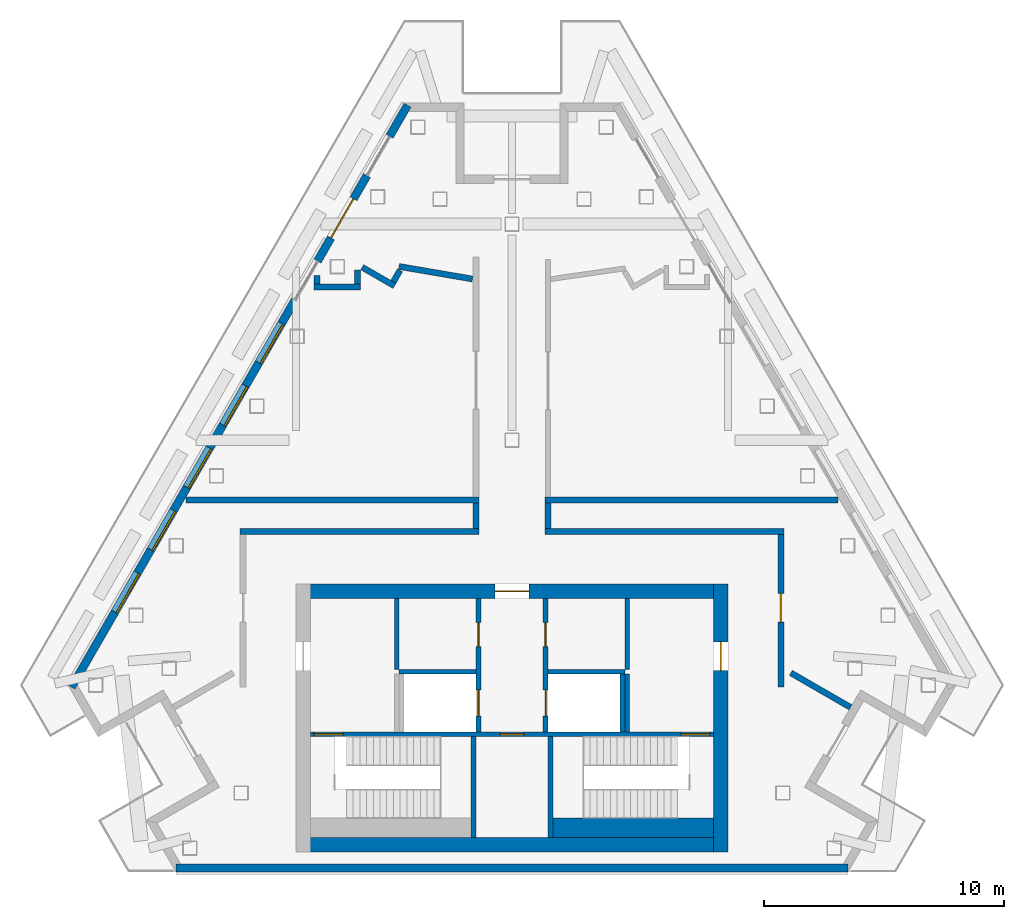
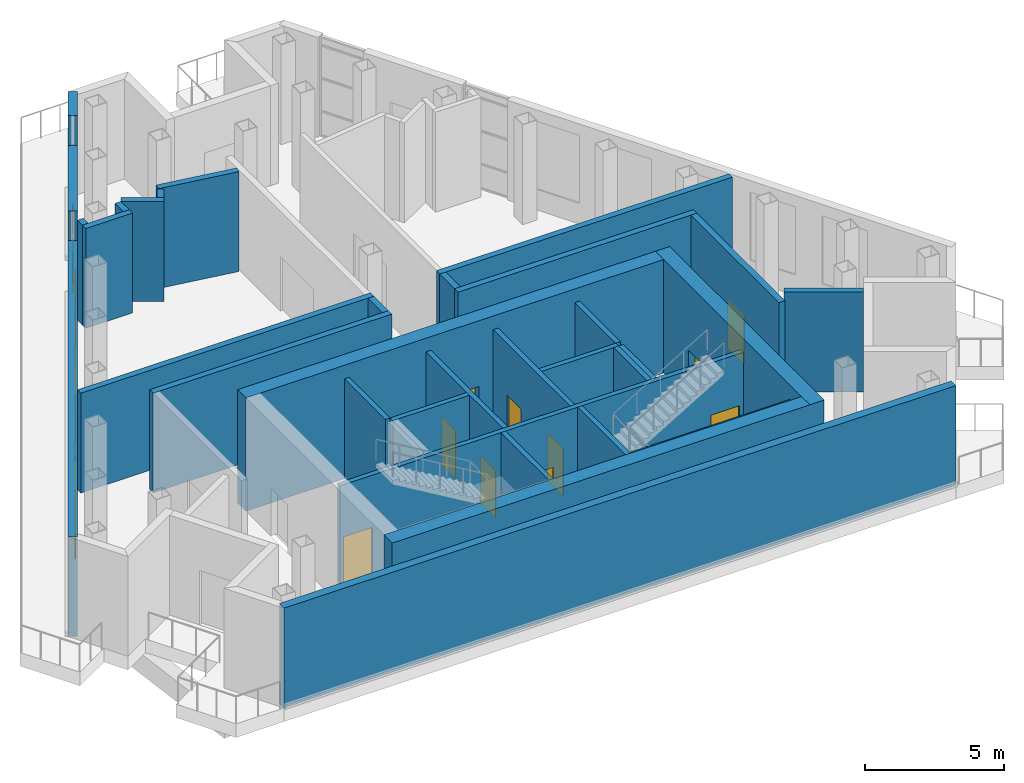
# One storey, part 4 of 7: 33 walls, 11 doors, 5 windows, 16 openings.
"""IFC4 building model written with IfcOpenShell, lengths in metres."""

from ifc_helpers import new_model, si_unit, direction, frame, frame_2d, origin, place, context, subcontext, project, spatial, rectangle, extrude, material, layer, layer_set, type_object, element, fill, save


model = new_model("IFC4")

# Units and contexts
model_context = context("Model", 3, precision=1e-05, world=origin(), true_north=direction((0.0, 1.0)))
body_context = subcontext(model_context, "Body", "Model", "MODEL_VIEW")
ifc_project = project(units=[si_unit("LENGTHUNIT", "METRE"), si_unit("AREAUNIT", "SQUARE_METRE"), si_unit("VOLUMEUNIT", "CUBIC_METRE"), si_unit("PLANEANGLEUNIT", "RADIAN"), si_unit("MASSUNIT", "GRAM", prefix="KILO")], contexts=[model_context])

# Site, building, storey
site_placement = place(None, origin())
site = spatial("IfcSite", under=ifc_project, at=site_placement, CompositionType="ELEMENT")
building_placement = place(site_placement, origin())
building = spatial("IfcBuilding", under=site, at=building_placement, Name="Fogline Exchange Tower", CompositionType="ELEMENT")
storey_placement = place(building_placement, frame((0.0, 0.0, 350.10009765625)))
storey = spatial("IfcBuildingStorey", under=building, at=storey_placement, Name="L79", CompositionType="ELEMENT", Elevation=350.10009765625)

# Wall, openings, doors
ifc_material_1 = material(Name="Concrete C40", Category="concrete")
ifc_layer_1 = layer(ifc_material_1, 0.199951171875)
ifc_layer_set_1 = layer_set([ifc_layer_1], Name="CW20")
wall_type_1 = type_object("IfcWallType", Name="CW20", PredefinedType="SOLIDWALL", material=ifc_layer_set_1)
wall_1_placement = place(storey_placement, frame((-1.39990234375, 5.85009765625, 0.0), z_axis=(0.0, 0.0, 1.0), x_axis=(0.0, 1.0, 0.0)))
wall_1 = element("IfcWall", 1, at=wall_1_placement, inside=storey, type_object=wall_type_1, Name="Lift lobby wall", PredefinedType="SOLIDWALL", context=body_context, shape_type="SweptSolid", body=[
    extrude(rectangle(XDim=5.5498046875, YDim=0.199951171875, at=frame_2d((2.77490234375, 0.0))), origin(), (0.0, 0.0, 1.0), 4.39990234375),
])
opening_1_placement = place(wall_1_placement, frame((0.64990234375, 0.0, 0.0)))
opening_1 = element("IfcOpeningElement", 2, at=opening_1_placement, cuts=wall_1, Name="Opening L79-LD01", PredefinedType="OPENING", context=body_context, shape_type="SweptSolid", body=[
    extrude(rectangle(XDim=1.10009765625, YDim=2.10009765625, at=frame_2d((0.550048828125, 1.050048828125))), frame((0.0, 0.10986328125, 0.0), z_axis=(0.0, -1.0, 0.0), x_axis=(1.0, 0.0, 0.0)), (0.0, 0.0, 1.0), 0.219970703125),
])
opening_2_placement = place(wall_1_placement, frame((3.550048828125, 0.0, 0.0)))
opening_2 = element("IfcOpeningElement", 3, at=opening_2_placement, cuts=wall_1, Name="Opening L79-C004", PredefinedType="OPENING", context=body_context, shape_type="SweptSolid", body=[
    extrude(rectangle(XDim=1.0, YDim=2.10009765625, at=frame_2d((0.5, 1.050048828125))), frame((0.0, 0.10986328125, 0.0), z_axis=(0.0, -1.0, 0.0), x_axis=(1.0, 0.0, 0.0)), (0.0, 0.0, 1.0), 0.219970703125),
])
ifc_material_2 = material(Name="Steel and timber fire door", Category="steel")
door_type_1 = type_object("IfcDoorType", Name="D-RM1", OperationType="SINGLE_SWING_LEFT", PredefinedType="DOOR", material=ifc_material_2)
door_1_placement = place(opening_2_placement, origin())
door_1 = element("IfcDoor", 4, at=door_1_placement, inside=storey, type_object=door_type_1, Name="Door to store", OperationType="SINGLE_SWING_LEFT", OverallHeight=2.10009765625, OverallWidth=1.0, PredefinedType="DOOR", context=body_context, shape_type="SweptSolid", body=[
    extrude(rectangle(XDim=1.0, YDim=2.10009765625, at=frame_2d((0.5, 1.050048828125))), frame((0.0, 0.02490234375, 0.0), z_axis=(0.0, -1.0, 0.0), x_axis=(1.0, 0.0, 0.0)), (0.0, 0.0, 1.0), 0.050048828125),
])
fill(opening_2, door_1)
door_type_2 = type_object("IfcDoorType", Name="LD2", OperationType="SLIDING_TO_RIGHT", PredefinedType="DOOR", material=ifc_material_2)
door_2_placement = place(opening_1_placement, origin())
door_2 = element("IfcDoor", 5, at=door_2_placement, inside=storey, type_object=door_type_2, Name="Landing door FF1", OperationType="SLIDING_TO_RIGHT", OverallHeight=2.10009765625, OverallWidth=1.10009765625, PredefinedType="DOOR", context=body_context, shape_type="SweptSolid", body=[
    extrude(rectangle(XDim=1.10009765625, YDim=2.10009765625, at=frame_2d((0.550048828125, 1.050048828125))), frame((0.0, 0.02490234375, 0.0), z_axis=(0.0, -1.0, 0.0), x_axis=(1.0, 0.0, 0.0)), (0.0, 0.0, 1.0), 0.050048828125),
])
fill(opening_1, door_2)

wall_2_placement = place(storey_placement, frame((1.39990234375, 5.85009765625, 0.0), z_axis=(0.0, 0.0, 1.0), x_axis=(0.0, 1.0, 0.0)))
wall_2 = element("IfcWall", 6, at=wall_2_placement, inside=storey, type_object=wall_type_1, Name="Lift lobby wall", PredefinedType="SOLIDWALL", context=body_context, shape_type="SweptSolid", body=[
    extrude(rectangle(XDim=5.5498046875, YDim=0.199951171875, at=frame_2d((2.77490234375, 0.0))), origin(), (0.0, 0.0, 1.0), 4.39990234375),
])
opening_3_placement = place(wall_2_placement, frame((0.64990234375, 0.0, 0.0)))
opening_3 = element("IfcOpeningElement", 7, at=opening_3_placement, cuts=wall_2, Name="Opening L79-LD02", PredefinedType="OPENING", context=body_context, shape_type="SweptSolid", body=[
    extrude(rectangle(XDim=1.10009765625, YDim=2.10009765625, at=frame_2d((0.550048828125, 1.050048828125))), frame((0.0, 0.10986328125, 0.0), z_axis=(0.0, -1.0, 0.0), x_axis=(1.0, 0.0, 0.0)), (0.0, 0.0, 1.0), 0.219970703125),
])
opening_4_placement = place(wall_2_placement, frame((3.550048828125, 0.0, 0.0)))
opening_4 = element("IfcOpeningElement", 8, at=opening_4_placement, cuts=wall_2, Name="Opening L79-C007", PredefinedType="OPENING", context=body_context, shape_type="SweptSolid", body=[
    extrude(rectangle(XDim=1.0, YDim=2.10009765625, at=frame_2d((0.5, 1.050048828125))), frame((0.0, 0.10986328125, 0.0), z_axis=(0.0, -1.0, 0.0), x_axis=(1.0, 0.0, 0.0)), (0.0, 0.0, 1.0), 0.219970703125),
])
door_3_placement = place(opening_4_placement, frame((1.0, 0.0, 0.0), z_axis=(0.0, 0.0, 1.0), x_axis=(-1.0, 0.0, 0.0)))
door_3 = element("IfcDoor", 9, at=door_3_placement, inside=storey, type_object=door_type_1, Name="Door to store", OperationType="SINGLE_SWING_RIGHT", OverallHeight=2.10009765625, OverallWidth=1.0, PredefinedType="DOOR", context=body_context, shape_type="SweptSolid", body=[
    extrude(rectangle(XDim=1.0, YDim=2.10009765625, at=frame_2d((0.5, 1.050048828125))), frame((0.0, 0.02490234375, 0.0), z_axis=(0.0, -1.0, 0.0), x_axis=(1.0, 0.0, 0.0)), (0.0, 0.0, 1.0), 0.050048828125),
])
fill(opening_4, door_3)
door_4_placement = place(opening_3_placement, origin())
door_4 = element("IfcDoor", 10, at=door_4_placement, inside=storey, type_object=door_type_2, Name="Landing door FF2", OperationType="SLIDING_TO_RIGHT", OverallHeight=2.10009765625, OverallWidth=1.10009765625, PredefinedType="DOOR", context=body_context, shape_type="SweptSolid", body=[
    extrude(rectangle(XDim=1.10009765625, YDim=2.10009765625, at=frame_2d((0.550048828125, 1.050048828125))), frame((0.0, 0.02490234375, 0.0), z_axis=(0.0, -1.0, 0.0), x_axis=(1.0, 0.0, 0.0)), (0.0, 0.0, 1.0), 0.050048828125),
])
fill(opening_3, door_4)

# Walls
wall_3_placement = place(storey_placement, frame((4.60009765625, 5.85009765625, 0.0), z_axis=(0.0, 0.0, 1.0), x_axis=(0.0, 1.0, 0.0)))
element("IfcWall", 11, at=wall_3_placement, inside=storey, type_object=wall_type_1, Name="Lift shaft wall", PredefinedType="SOLIDWALL", context=body_context, shape_type="SweptSolid", body=[
    extrude(rectangle(XDim=2.39990234375, YDim=0.199951171875, at=frame_2d((1.199951171875, 0.0))), origin(), (0.0, 0.0, 1.0), 4.39990234375),
])
for number, where, z_axis, x_axis, name in (
    (12, (-4.699951171875, 8.35009765625, 0.0), (0.0, 0.0, 1.0), (1.0, 0.0, 0.0), "Lift shaft wall"),
    (13, (1.5, 8.35009765625, 0.0), (0.0, 0.0, 1.0), (1.0, 0.0, 0.0), "Lift shaft wall"),
):
    element("IfcWall", number, at=place(storey_placement, frame(where, z_axis=z_axis, x_axis=x_axis)), inside=storey, type_object=wall_type_1, Name=name, PredefinedType="SOLIDWALL", context=body_context, shape_type="SweptSolid", body=[
        extrude(rectangle(XDim=3.199951171875, YDim=0.199951171875, at=frame_2d((1.60009765625, 0.0))), origin(), (0.0, 0.0, 1.0), 4.39990234375),
    ])
for number, where, z_axis, x_axis, name in (
    (14, (-4.800048828125, 8.449951171875, 0.0), (0.0, 0.0, 1.0), (0.0, 1.0, 0.0), "Room wall"),
    (15, (4.800048828125, 8.449951171875, 0.0), (0.0, 0.0, 1.0), (0.0, 1.0, 0.0), "Room wall"),
):
    element("IfcWall", number, at=place(storey_placement, frame(where, z_axis=z_axis, x_axis=x_axis)), inside=storey, type_object=wall_type_1, Name=name, PredefinedType="SOLIDWALL", context=body_context, shape_type="SweptSolid", body=[
        extrude(rectangle(XDim=2.949951171875, YDim=0.199951171875, at=frame_2d((1.47509765625, 0.0))), origin(), (0.0, 0.0, 1.0), 4.39990234375),
    ])
wall_4_placement = place(storey_placement, frame((4.800048828125, 5.85009765625, 0.0), z_axis=(0.0, 0.0, 1.0), x_axis=(0.0, 1.0, 0.0)))
element("IfcWall", 16, at=wall_4_placement, inside=storey, type_object=wall_type_1, Name="Room wall", PredefinedType="SOLIDWALL", context=body_context, shape_type="SweptSolid", body=[
    extrude(rectangle(XDim=2.39990234375, YDim=0.199951171875, at=frame_2d((1.199951171875, 0.0))), origin(), (0.0, 0.0, 1.0), 4.39990234375),
])

# Wall, openings, doors
ifc_layer_2 = layer(ifc_material_1, 0.199951171875)
ifc_layer_set_2 = layer_set([ifc_layer_2], Name="CW20R")
wall_type_2 = type_object("IfcWallType", Name="CW20R", PredefinedType="SOLIDWALL", material=ifc_layer_set_2)
wall_5_placement = place(storey_placement, frame((-8.39990234375, 5.75, -0.60009765625), z_axis=(0.0, 0.0, 1.0), x_axis=(1.0, 0.0, 0.0)))
wall_5 = element("IfcWall", 17, at=wall_5_placement, inside=storey, type_object=wall_type_2, Name="Stair enclosure wall", PredefinedType="SOLIDWALL", context=body_context, shape_type="SweptSolid", body=[
    extrude(rectangle(XDim=16.7998046875, YDim=0.199951171875, at=frame_2d((8.39990234375, 0.0))), origin(), (0.0, 0.0, 1.0), 5.0),
])
opening_5_placement = place(wall_5_placement, frame((7.89990234375, 0.0, 0.60009765625)))
opening_5 = element("IfcOpeningElement", 18, at=opening_5_placement, cuts=wall_5, Name="Opening L79-C001", PredefinedType="OPENING", context=body_context, shape_type="SweptSolid", body=[
    extrude(rectangle(XDim=1.0, YDim=2.10009765625, at=frame_2d((0.5, 1.050048828125))), frame((0.0, 0.10986328125, 0.0), z_axis=(0.0, -1.0, 0.0), x_axis=(1.0, 0.0, 0.0)), (0.0, 0.0, 1.0), 0.219970703125),
])
opening_6_placement = place(wall_5_placement, frame((0.14990234375, 0.0, 0.60009765625)))
opening_6 = element("IfcOpeningElement", 19, at=opening_6_placement, cuts=wall_5, Name="Opening L79-C003", PredefinedType="OPENING", context=body_context, shape_type="SweptSolid", body=[
    extrude(rectangle(XDim=1.199951171875, YDim=2.10009765625, at=frame_2d((0.60009765625, 1.050048828125))), frame((0.0, 0.10986328125, 0.0), z_axis=(0.0, -1.0, 0.0), x_axis=(1.0, 0.0, 0.0)), (0.0, 0.0, 1.0), 0.219970703125),
])
opening_7_placement = place(wall_5_placement, frame((15.449951171875, 0.0, 0.60009765625)))
opening_7 = element("IfcOpeningElement", 20, at=opening_7_placement, cuts=wall_5, Name="Opening L79-C006", PredefinedType="OPENING", context=body_context, shape_type="SweptSolid", body=[
    extrude(rectangle(XDim=1.199951171875, YDim=2.10009765625, at=frame_2d((0.60009765625, 1.050048828125))), frame((0.0, 0.10986328125, 0.0), z_axis=(0.0, -1.0, 0.0), x_axis=(1.0, 0.0, 0.0)), (0.0, 0.0, 1.0), 0.219970703125),
])
door_5_placement = place(opening_5_placement, frame((1.0, 0.0, 0.0), z_axis=(0.0, 0.0, 1.0), x_axis=(-1.0, 0.0, 0.0)))
door_5 = element("IfcDoor", 21, at=door_5_placement, inside=storey, type_object=door_type_1, Name="Door to Riser Room", OperationType="SINGLE_SWING_RIGHT", OverallHeight=2.10009765625, OverallWidth=1.0, PredefinedType="DOOR", context=body_context, shape_type="SweptSolid", body=[
    extrude(rectangle(XDim=1.0, YDim=2.10009765625, at=frame_2d((0.5, 1.050048828125))), frame((0.0, 0.02490234375, 0.0), z_axis=(0.0, -1.0, 0.0), x_axis=(1.0, 0.0, 0.0)), (0.0, 0.0, 1.0), 0.050048828125),
])
fill(opening_5, door_5)
door_type_3 = type_object("IfcDoorType", Name="D-ST1", OperationType="SINGLE_SWING_LEFT", PredefinedType="DOOR", material=ifc_material_2)
door_6_placement = place(opening_6_placement, frame((1.199951171875, 0.0, 0.0), z_axis=(0.0, 0.0, 1.0), x_axis=(-1.0, 0.0, 0.0)))
door_6 = element("IfcDoor", 22, at=door_6_placement, inside=storey, type_object=door_type_3, Name="Stair door CS1", OperationType="SINGLE_SWING_RIGHT", OverallHeight=2.10009765625, OverallWidth=1.199951171875, PredefinedType="DOOR", context=body_context, shape_type="SweptSolid", body=[
    extrude(rectangle(XDim=1.199951171875, YDim=2.10009765625, at=frame_2d((0.60009765625, 1.050048828125))), frame((0.0, 0.02490234375, 0.0), z_axis=(0.0, -1.0, 0.0), x_axis=(1.0, 0.0, 0.0)), (0.0, 0.0, 1.0), 0.050048828125),
])
fill(opening_6, door_6)
door_7_placement = place(opening_7_placement, frame((1.199951171875, 0.0, 0.0), z_axis=(0.0, 0.0, 1.0), x_axis=(-1.0, 0.0, 0.0)))
door_7 = element("IfcDoor", 23, at=door_7_placement, inside=storey, type_object=door_type_3, Name="Stair door CS2", OperationType="SINGLE_SWING_LEFT", OverallHeight=2.10009765625, OverallWidth=1.199951171875, PredefinedType="DOOR", context=body_context, shape_type="SweptSolid", body=[
    extrude(rectangle(XDim=1.199951171875, YDim=2.10009765625, at=frame_2d((0.60009765625, 1.050048828125))), frame((0.0, 0.02490234375, 0.0), z_axis=(0.0, -1.0, 0.0), x_axis=(1.0, 0.0, 0.0)), (0.0, 0.0, 1.0), 0.050048828125),
])
fill(opening_7, door_7)

# Walls
for number, where, z_axis, x_axis, name in (
    (24, (-1.60009765625, 1.449951171875, -0.60009765625), (0.0, 0.0, 1.0), (0.0, 1.0, 0.0), "Stair enclosure wall"),
    (25, (1.60009765625, 1.449951171875, -0.60009765625), (0.0, 0.0, 1.0), (0.0, 1.0, 0.0), "Stair enclosure wall"),
):
    element("IfcWall", number, at=place(storey_placement, frame(where, z_axis=z_axis, x_axis=x_axis)), inside=storey, type_object=wall_type_2, Name=name, PredefinedType="SOLIDWALL", context=body_context, shape_type="SweptSolid", body=[
        extrude(rectangle(XDim=4.199951171875, YDim=0.199951171875, at=frame_2d((2.10009765625, 0.0))), origin(), (0.0, 0.0, 1.0), 5.0),
    ])
ifc_layer_3 = layer(ifc_material_1, 0.800048828125)
ifc_layer_set_3 = layer_set([ifc_layer_3], Name="CW80R")
wall_type_3 = type_object("IfcWallType", Name="CW80R", PredefinedType="SOLIDWALL", material=ifc_layer_set_3)
wall_6_placement = place(storey_placement, frame((1.699951171875, 1.85009765625, -0.60009765625), z_axis=(0.0, 0.0, 1.0), x_axis=(1.0, 0.0, 0.0)))
element("IfcWall", 26, at=wall_6_placement, inside=storey, type_object=wall_type_3, Name="Stair enclosure wall", PredefinedType="SOLIDWALL", context=body_context, shape_type="SweptSolid", body=[
    extrude(rectangle(XDim=6.699951171875, YDim=0.800048828125, at=frame_2d((3.35009765625, 0.0))), origin(), (0.0, 0.0, 1.0), 5.0),
])
ifc_material_3 = material(Name="Brick masonry", Category="masonry")
ifc_layer_4 = layer(ifc_material_3, 0.340087890625)
ifc_layer_set_4 = layer_set([ifc_layer_4], Name="FW1")
wall_type_4 = type_object("IfcWallType", Name="FW1", PredefinedType="SOLIDWALL", material=ifc_layer_set_4)
wall_7_placement = place(storey_placement, frame((-14.0, 0.169921875, 0.0), z_axis=(0.0, 0.0, 1.0), x_axis=(1.0, 0.0, 0.0)))
element("IfcWall", 27, at=wall_7_placement, inside=storey, type_object=wall_type_4, Name="Brick wall L79 S", PredefinedType="SOLIDWALL", context=body_context, shape_type="SweptSolid", body=[
    extrude(rectangle(XDim=28.0, YDim=0.340087890625, at=frame_2d((14.0, 0.0))), origin(), (0.0, 0.0, 1.0), 4.39990234375),
])
wall_8_placement = place(storey_placement, frame((-4.352783203125, 31.9580078125, 0.0), z_axis=(0.0, 0.0, 1.0), x_axis=(-0.499990139034, -0.866031096941, 0.0)))
element("IfcWall", 28, at=wall_8_placement, inside=storey, type_object=wall_type_4, Name="Brick wall L79 W bay 1", PredefinedType="SOLIDWALL", context=body_context, shape_type="SweptSolid", body=[
    extrude(rectangle(XDim=1.5, YDim=0.340087890625, at=frame_2d((0.75, 0.0))), origin(), (0.0, 0.0, 1.0), 4.39990234375),
])

# Wall, opening, door
wall_9_placement = place(storey_placement, frame((-6.045166015625, 29.0263671875, 0.0), z_axis=(0.0, 0.0, 1.0), x_axis=(-0.500018604663, -0.866014662111, 0.0)))
wall_9 = element("IfcWall", 29, at=wall_9_placement, inside=storey, type_object=wall_type_4, Name="Brick wall L79 W bay 2", PredefinedType="SOLIDWALL", context=body_context, shape_type="SweptSolid", body=[
    extrude(rectangle(XDim=4.114990234375, YDim=0.340087890625, at=frame_2d((2.0576171875, 0.0))), origin(), (0.0, 0.0, 1.0), 4.39990234375),
])
opening_8_placement = place(wall_9_placement, frame((1.114990234375, 0.0, 0.0)))
opening_8 = element("IfcOpeningElement", 30, at=opening_8_placement, cuts=wall_9, Name="Opening L79-E171", PredefinedType="OPENING", context=body_context, shape_type="SweptSolid", body=[
    extrude(rectangle(XDim=1.885009765625, YDim=2.60009765625, at=frame_2d((0.9423828125, 1.300048828125))), frame((0.0, 0.18017578125, 0.0), z_axis=(0.0, -1.0, 0.0), x_axis=(1.0, 0.0, 0.0)), (0.0, 0.0, 1.0), 0.360107421875),
])
ifc_material_4 = material(Name="Aluminium and glass", Category="aluminium")
door_type_4 = type_object("IfcDoorType", Name="ED5", OperationType="SINGLE_SWING_LEFT", PredefinedType="DOOR", material=ifc_material_4)
door_8_placement = place(opening_8_placement, frame((1.885009765625, 0.0, 0.0), z_axis=(0.0, 0.0, 1.0), x_axis=(-1.0, 0.0, 0.0)))
door_8 = element("IfcDoor", 31, at=door_8_placement, inside=storey, type_object=door_type_4, Name="Terrace door L79 W", OperationType="DOUBLE_DOOR_SINGLE_SWING", OverallHeight=2.60009765625, OverallWidth=1.885009765625, PredefinedType="DOOR", context=body_context, shape_type="SweptSolid", body=[
    extrude(rectangle(XDim=1.885009765625, YDim=2.60009765625, at=frame_2d((0.9423828125, 1.300048828125))), frame((0.0, 0.02490234375, 0.0), z_axis=(0.0, -1.0, 0.0), x_axis=(1.0, 0.0, 0.0)), (0.0, 0.0, 1.0), 0.050048828125),
])
fill(opening_8, door_8)

# Wall, openings, windows
wall_10_placement = place(storey_placement, frame((-9.045166015625, 23.830322265625, 0.0), z_axis=(0.0, 0.0, 1.0), x_axis=(-0.500004003655, -0.866023092261, 0.0)))
wall_10 = element("IfcWall", 32, at=wall_10_placement, inside=storey, type_object=wall_type_4, Name="Brick wall L79 W bay 3", PredefinedType="SOLIDWALL", context=body_context, shape_type="SweptSolid", body=[
    extrude(rectangle(XDim=18.614990234375, YDim=0.340087890625, at=frame_2d((9.3076171875, 0.0))), origin(), (0.0, 0.0, 1.0), 4.39990234375),
])
opening_9_placement = place(wall_10_placement, frame((1.114990234375, 0.0, 0.89990234375)))
opening_9 = element("IfcOpeningElement", 33, at=opening_9_placement, cuts=wall_10, Name="Opening W6", PredefinedType="OPENING", context=body_context, shape_type="SweptSolid", body=[
    extrude(rectangle(XDim=1.885009765625, YDim=3.0, at=frame_2d((0.9423828125, 1.5))), frame((0.0, 0.18017578125, 0.0), z_axis=(0.0, -1.0, 0.0), x_axis=(1.0, 0.0, 0.0)), (0.0, 0.0, 1.0), 0.360107421875),
])
opening_10_placement = place(wall_10_placement, frame((4.114990234375, 0.0, 0.89990234375)))
opening_10 = element("IfcOpeningElement", 34, at=opening_10_placement, cuts=wall_10, Name="Opening W6", PredefinedType="OPENING", context=body_context, shape_type="SweptSolid", body=[
    extrude(rectangle(XDim=1.885009765625, YDim=3.0, at=frame_2d((0.9423828125, 1.5))), frame((0.0, 0.18017578125, 0.0), z_axis=(0.0, -1.0, 0.0), x_axis=(1.0, 0.0, 0.0)), (0.0, 0.0, 1.0), 0.360107421875),
])
opening_11_placement = place(wall_10_placement, frame((7.114990234375, 0.0, 0.89990234375)))
opening_11 = element("IfcOpeningElement", 35, at=opening_11_placement, cuts=wall_10, Name="Opening W6", PredefinedType="OPENING", context=body_context, shape_type="SweptSolid", body=[
    extrude(rectangle(XDim=1.885009765625, YDim=3.0, at=frame_2d((0.9423828125, 1.5))), frame((0.0, 0.18017578125, 0.0), z_axis=(0.0, -1.0, 0.0), x_axis=(1.0, 0.0, 0.0)), (0.0, 0.0, 1.0), 0.360107421875),
])
opening_12_placement = place(wall_10_placement, frame((10.114990234375, 0.0, 0.89990234375)))
opening_12 = element("IfcOpeningElement", 36, at=opening_12_placement, cuts=wall_10, Name="Opening W6", PredefinedType="OPENING", context=body_context, shape_type="SweptSolid", body=[
    extrude(rectangle(XDim=1.885009765625, YDim=3.0, at=frame_2d((0.9423828125, 1.5))), frame((0.0, 0.18017578125, 0.0), z_axis=(0.0, -1.0, 0.0), x_axis=(1.0, 0.0, 0.0)), (0.0, 0.0, 1.0), 0.360107421875),
])
opening_13_placement = place(wall_10_placement, frame((13.114990234375, 0.0, 0.89990234375)))
opening_13 = element("IfcOpeningElement", 37, at=opening_13_placement, cuts=wall_10, Name="Opening W6", PredefinedType="OPENING", context=body_context, shape_type="SweptSolid", body=[
    extrude(rectangle(XDim=1.885009765625, YDim=3.0, at=frame_2d((0.9423828125, 1.5))), frame((0.0, 0.18017578125, 0.0), z_axis=(0.0, -1.0, 0.0), x_axis=(1.0, 0.0, 0.0)), (0.0, 0.0, 1.0), 0.360107421875),
])
ifc_material_5 = material(Name="Aluminium louvre", Category="aluminium")
window_type = type_object("IfcWindowType", Name="W6", PartitioningType="SINGLE_PANEL", PredefinedType="WINDOW", material=ifc_material_5)
window_1_placement = place(opening_9_placement, origin())
window_1 = element("IfcWindow", 38, at=window_1_placement, inside=storey, type_object=window_type, Name="W6 W6", OverallHeight=3.0, OverallWidth=1.885009765625, PartitioningType="SINGLE_PANEL", PredefinedType="WINDOW", context=body_context, shape_type="SweptSolid", body=[
    extrude(rectangle(XDim=1.885009765625, YDim=3.0, at=frame_2d((0.9423828125, 1.5))), frame((0.0, 0.110107421875, 0.0), z_axis=(0.0, -1.0, 0.0), x_axis=(1.0, 0.0, 0.0)), (0.0, 0.0, 1.0), 0.06005859375),
])
fill(opening_9, window_1)
window_2_placement = place(opening_10_placement, origin())
window_2 = element("IfcWindow", 39, at=window_2_placement, inside=storey, type_object=window_type, Name="W6 W6", OverallHeight=3.0, OverallWidth=1.885009765625, PartitioningType="SINGLE_PANEL", PredefinedType="WINDOW", context=body_context, shape_type="SweptSolid", body=[
    extrude(rectangle(XDim=1.885009765625, YDim=3.0, at=frame_2d((0.9423828125, 1.5))), frame((0.0, 0.110107421875, 0.0), z_axis=(0.0, -1.0, 0.0), x_axis=(1.0, 0.0, 0.0)), (0.0, 0.0, 1.0), 0.06005859375),
])
fill(opening_10, window_2)
window_3_placement = place(opening_11_placement, origin())
window_3 = element("IfcWindow", 40, at=window_3_placement, inside=storey, type_object=window_type, Name="W6 W6", OverallHeight=3.0, OverallWidth=1.885009765625, PartitioningType="SINGLE_PANEL", PredefinedType="WINDOW", context=body_context, shape_type="SweptSolid", body=[
    extrude(rectangle(XDim=1.885009765625, YDim=3.0, at=frame_2d((0.9423828125, 1.5))), frame((0.0, 0.110107421875, 0.0), z_axis=(0.0, -1.0, 0.0), x_axis=(1.0, 0.0, 0.0)), (0.0, 0.0, 1.0), 0.06005859375),
])
fill(opening_11, window_3)
window_4_placement = place(opening_12_placement, origin())
window_4 = element("IfcWindow", 41, at=window_4_placement, inside=storey, type_object=window_type, Name="W6 W6", OverallHeight=3.0, OverallWidth=1.885009765625, PartitioningType="SINGLE_PANEL", PredefinedType="WINDOW", context=body_context, shape_type="SweptSolid", body=[
    extrude(rectangle(XDim=1.885009765625, YDim=3.0, at=frame_2d((0.9423828125, 1.5))), frame((0.0, 0.110107421875, 0.0), z_axis=(0.0, -1.0, 0.0), x_axis=(1.0, 0.0, 0.0)), (0.0, 0.0, 1.0), 0.06005859375),
])
fill(opening_12, window_4)
window_5_placement = place(opening_13_placement, origin())
window_5 = element("IfcWindow", 42, at=window_5_placement, inside=storey, type_object=window_type, Name="W6 W6", OverallHeight=3.0, OverallWidth=1.885009765625, PartitioningType="SINGLE_PANEL", PredefinedType="WINDOW", context=body_context, shape_type="SweptSolid", body=[
    extrude(rectangle(XDim=1.885009765625, YDim=3.0, at=frame_2d((0.9423828125, 1.5))), frame((0.0, 0.110107421875, 0.0), z_axis=(0.0, -1.0, 0.0), x_axis=(1.0, 0.0, 0.0)), (0.0, 0.0, 1.0), 0.06005859375),
])
fill(opening_13, window_5)

# Walls
ifc_layer_5 = layer(ifc_material_1, 0.25)
ifc_layer_set_5 = layer_set([ifc_layer_5], Name="PP3")
wall_type_5 = type_object("IfcWallType", Name="PP3", PredefinedType="SOLIDWALL", material=ifc_layer_set_5)
wall_11_placement = place(storey_placement, frame((-13.587890625, 15.4970703125, 0.0), z_axis=(0.0, 0.0, 1.0), x_axis=(1.0, 0.0, 0.0)))
element("IfcWall", 43, at=wall_11_placement, inside=storey, type_object=wall_type_5, Name="PP3 partition", PredefinedType="SOLIDWALL", context=body_context, shape_type="SweptSolid", body=[
    extrude(rectangle(XDim=12.212890625, YDim=0.25, at=frame_2d((6.1064453125, 0.0))), origin(), (0.0, 0.0, 1.0), 4.39990234375),
])
wall_12_placement = place(storey_placement, frame((1.375, 15.51611328125, 0.0), z_axis=(0.0, 0.0, 1.0), x_axis=(1.0, 0.0, 0.0)))
element("IfcWall", 44, at=wall_12_placement, inside=storey, type_object=wall_type_5, Name="PP3 partition", PredefinedType="SOLIDWALL", context=body_context, shape_type="SweptSolid", body=[
    extrude(rectangle(XDim=12.2021484375, YDim=0.25, at=frame_2d((6.10107421875, 0.0))), origin(), (0.0, 0.0, 1.0), 4.39990234375),
])
for number, where, z_axis, x_axis, name in (
    (45, (-11.324951171875, 14.199951171875, 0.0), (0.0, 0.0, 1.0), (1.0, 0.0, 0.0), "PP3 partition"),
    (46, (1.375, 14.199951171875, 0.0), (0.0, 0.0, 1.0), (1.0, 0.0, 0.0), "PP3 partition"),
):
    element("IfcWall", number, at=place(storey_placement, frame(where, z_axis=z_axis, x_axis=x_axis)), inside=storey, type_object=wall_type_5, Name=name, PredefinedType="SOLIDWALL", context=body_context, shape_type="SweptSolid", body=[
        extrude(rectangle(XDim=9.949951171875, YDim=0.25, at=frame_2d((4.97509765625, 0.0))), origin(), (0.0, 0.0, 1.0), 4.39990234375),
    ])

# Wall, opening, door
wall_13_placement = place(storey_placement, frame((11.199951171875, 14.074951171875, 0.0), z_axis=(0.0, 0.0, 1.0), x_axis=(0.0, -1.0, 0.0)))
wall_13 = element("IfcWall", 47, at=wall_13_placement, inside=storey, type_object=wall_type_5, Name="PP3 partition", PredefinedType="SOLIDWALL", context=body_context, shape_type="SweptSolid", body=[
    extrude(rectangle(XDim=6.36962890625, YDim=0.25, at=frame_2d((3.184814453125, 0.0))), origin(), (0.0, 0.0, 1.0), 4.39990234375),
])
opening_14_placement = place(wall_13_placement, frame((2.4599609375, 0.0, 0.0)))
opening_14 = element("IfcOpeningElement", 48, at=opening_14_placement, cuts=wall_13, Name="Opening L79-D003", PredefinedType="OPENING", context=body_context, shape_type="SweptSolid", body=[
    extrude(rectangle(XDim=1.199951171875, YDim=2.10009765625, at=frame_2d((0.60009765625, 1.050048828125))), frame((0.0, 0.135009765625, 0.0), z_axis=(0.0, -1.0, 0.0), x_axis=(1.0, 0.0, 0.0)), (0.0, 0.0, 1.0), 0.27001953125),
])
ifc_material_6 = material(Name="Steel Q235B", Category="steel")
door_type_5 = type_object("IfcDoorType", Name="PD7", OperationType="SINGLE_SWING_LEFT", PredefinedType="DOOR", material=ifc_material_6)
door_9_placement = place(opening_14_placement, origin())
door_9 = element("IfcDoor", 49, at=door_9_placement, inside=storey, type_object=door_type_5, Name="L79-D003", OperationType="SINGLE_SWING_LEFT", OverallHeight=2.10009765625, OverallWidth=1.199951171875, PredefinedType="DOOR", context=body_context, shape_type="SweptSolid", body=[
    extrude(rectangle(XDim=1.199951171875, YDim=2.10009765625, at=frame_2d((0.60009765625, 1.050048828125))), frame((0.0, 0.02490234375, 0.0), z_axis=(0.0, -1.0, 0.0), x_axis=(1.0, 0.0, 0.0)), (0.0, 0.0, 1.0), 0.050048828125),
])
fill(opening_14, door_9)

# Walls
wall_14_placement = place(storey_placement, frame((-1.648681640625, 24.71484375, 0.0), z_axis=(0.0, 0.0, 1.0), x_axis=(-0.98569851909, 0.168518335692, 0.0)))
element("IfcWall", 50, at=wall_14_placement, inside=storey, type_object=wall_type_5, Name="PP3 partition", PredefinedType="SOLIDWALL", context=body_context, shape_type="SweptSolid", body=[
    extrude(rectangle(XDim=3.103271484375, YDim=0.25, at=frame_2d((1.5517578125, 0.0))), origin(), (0.0, 0.0, 1.0), 4.39990234375),
])
wall_15_placement = place(storey_placement, frame((11.61767578125, 8.3037109375, 0.0), z_axis=(0.0, 0.0, 1.0), x_axis=(0.866018712932, -0.500011588718, 0.0)))
element("IfcWall", 51, at=wall_15_placement, inside=storey, type_object=wall_type_5, Name="PP3 partition", PredefinedType="SOLIDWALL", context=body_context, shape_type="SweptSolid", body=[
    extrude(rectangle(XDim=2.875, YDim=0.25, at=frame_2d((1.4375, 0.0))), origin(), (0.0, 0.0, 1.0), 4.39990234375),
])
wall_16_placement = place(storey_placement, frame((-6.30322265625, 24.380859375, 0.0), z_axis=(0.0, 0.0, 1.0), x_axis=(-1.0, 0.0, 0.0)))
element("IfcWall", 52, at=wall_16_placement, inside=storey, type_object=wall_type_5, Name="PP3 partition", PredefinedType="SOLIDWALL", context=body_context, shape_type="SweptSolid", body=[
    extrude(rectangle(XDim=1.9501953125, YDim=0.25, at=frame_2d((0.97509765625, 0.0))), origin(), (0.0, 0.0, 1.0), 4.39990234375),
])
wall_17_placement = place(storey_placement, frame((-4.8955078125, 24.427978515625, 0.0), z_axis=(0.0, 0.0, 1.0), x_axis=(-0.86604181439, 0.49997157492, 0.0)))
element("IfcWall", 53, at=wall_17_placement, inside=storey, type_object=wall_type_5, Name="PP3 partition", PredefinedType="SOLIDWALL", context=body_context, shape_type="SweptSolid", body=[
    extrude(rectangle(XDim=1.55517578125, YDim=0.25, at=frame_2d((0.777587890625, 0.0))), origin(), (0.0, 0.0, 1.0), 4.39990234375),
])
wall_18_placement = place(storey_placement, frame((1.5, 15.39111328125, 0.0), z_axis=(0.0, 0.0, 1.0), x_axis=(0.0, -1.0, 0.0)))
element("IfcWall", 54, at=wall_18_placement, inside=storey, type_object=wall_type_5, Name="PP3 partition", PredefinedType="SOLIDWALL", context=body_context, shape_type="SweptSolid", body=[
    extrude(rectangle(XDim=1.066162109375, YDim=0.25, at=frame_2d((0.533203125, 0.0))), origin(), (0.0, 0.0, 1.0), 4.39990234375),
])
wall_19_placement = place(storey_placement, frame((-1.5, 14.324951171875, 0.0), z_axis=(0.0, 0.0, 1.0), x_axis=(0.0, 1.0, 0.0)))
element("IfcWall", 55, at=wall_19_placement, inside=storey, type_object=wall_type_5, Name="PP3 partition", PredefinedType="SOLIDWALL", context=body_context, shape_type="SweptSolid", body=[
    extrude(rectangle(XDim=1.047119140625, YDim=0.25, at=frame_2d((0.5234375, 0.0))), origin(), (0.0, 0.0, 1.0), 4.39990234375),
])
wall_20_placement = place(storey_placement, frame((-6.42822265625, 25.096923828125, 0.0), z_axis=(0.0, 0.0, 1.0), x_axis=(0.0, -1.0, 0.0)))
element("IfcWall", 56, at=wall_20_placement, inside=storey, type_object=wall_type_5, Name="PP3 partition", PredefinedType="SOLIDWALL", context=body_context, shape_type="SweptSolid", body=[
    extrude(rectangle(XDim=0.591064453125, YDim=0.25, at=frame_2d((0.29541015625, 0.0))), origin(), (0.0, 0.0, 1.0), 4.39990234375),
])
wall_21_placement = place(storey_placement, frame((-4.666015625, 25.07568359375, 0.0), z_axis=(0.0, 0.0, 1.0), x_axis=(-0.499952654668, -0.866052736899, 0.0)))
element("IfcWall", 57, at=wall_21_placement, inside=storey, type_object=wall_type_5, Name="PP3 partition", PredefinedType="SOLIDWALL", context=body_context, shape_type="SweptSolid", body=[
    extrude(rectangle(XDim=0.55078125, YDim=0.25, at=frame_2d((0.275390625, 0.0))), origin(), (0.0, 0.0, 1.0), 4.39990234375),
])
wall_22_placement = place(storey_placement, frame((-8.12841796875, 24.506103515625, 0.0), z_axis=(0.0, 0.0, 1.0), x_axis=(0.0, 1.0, 0.0)))
element("IfcWall", 58, at=wall_22_placement, inside=storey, type_object=wall_type_5, Name="PP3 partition", PredefinedType="SOLIDWALL", context=body_context, shape_type="SweptSolid", body=[
    extrude(rectangle(XDim=0.35595703125, YDim=0.25, at=frame_2d((0.177978515625, 0.0))), origin(), (0.0, 0.0, 1.0), 4.39990234375),
])
ifc_material_7 = material(Name="Concrete C50", Category="concrete")
ifc_layer_6 = layer(ifc_material_7, 0.60009765625)
ifc_layer_set_6 = layer_set([ifc_layer_6], Name="SW05")
wall_type_6 = type_object("IfcWallType", Name="SW05", PredefinedType="SHEAR", material=ifc_layer_set_6)
wall_23_placement = place(storey_placement, frame((-9.0, 1.14990234375, 0.0), z_axis=(0.0, 0.0, 1.0), x_axis=(1.0, 0.0, 0.0)))
element("IfcWall", 59, at=wall_23_placement, inside=storey, type_object=wall_type_6, Name="L79-W901", PredefinedType="SHEAR", context=body_context, shape_type="SweptSolid", body=[
    extrude(rectangle(XDim=18.0, YDim=0.60009765625, at=frame_2d((9.0, 0.0))), origin(), (0.0, 0.0, 1.0), 5.0),
])

# Wall, opening, door
wall_24_placement = place(storey_placement, frame((8.699951171875, 0.85009765625, 0.0), z_axis=(0.0, 0.0, 1.0), x_axis=(0.0, 1.0, 0.0)))
wall_24 = element("IfcWall", 60, at=wall_24_placement, inside=storey, type_object=wall_type_6, Name="L79-W902", PredefinedType="SHEAR", context=body_context, shape_type="SweptSolid", body=[
    extrude(rectangle(XDim=11.14990234375, YDim=0.60009765625, at=frame_2d((5.574951171875, 0.0))), origin(), (0.0, 0.0, 1.0), 5.0),
])
opening_15_placement = place(wall_24_placement, frame((7.550048828125, 0.0, 0.0)))
opening_15 = element("IfcOpeningElement", 61, at=opening_15_placement, cuts=wall_24, Name="Opening L79-C005", PredefinedType="OPENING", context=body_context, shape_type="SweptSolid", body=[
    extrude(rectangle(XDim=1.199951171875, YDim=2.10009765625, at=frame_2d((0.60009765625, 1.050048828125))), frame((0.0, 0.31005859375, 0.0), z_axis=(0.0, -1.0, 0.0), x_axis=(1.0, 0.0, 0.0)), (0.0, 0.0, 1.0), 0.6201171875),
])
door_type_6 = type_object("IfcDoorType", Name="D-SV1", OperationType="SINGLE_SWING_LEFT", PredefinedType="DOOR", material=ifc_material_2)
door_10_placement = place(opening_15_placement, origin())
door_10 = element("IfcDoor", 62, at=door_10_placement, inside=storey, type_object=door_type_6, Name="Service door E", OperationType="SINGLE_SWING_RIGHT", OverallHeight=2.10009765625, OverallWidth=1.199951171875, PredefinedType="DOOR", context=body_context, shape_type="SweptSolid", body=[
    extrude(rectangle(XDim=1.199951171875, YDim=2.10009765625, at=frame_2d((0.60009765625, 1.050048828125))), frame((0.0, 0.02490234375, 0.0), z_axis=(0.0, -1.0, 0.0), x_axis=(1.0, 0.0, 0.0)), (0.0, 0.0, 1.0), 0.050048828125),
])
fill(opening_15, door_10)

wall_25_placement = place(storey_placement, frame((9.0, 11.699951171875, 0.0), z_axis=(0.0, 0.0, 1.0), x_axis=(-1.0, 0.0, 0.0)))
wall_25 = element("IfcWall", 63, at=wall_25_placement, inside=storey, type_object=wall_type_6, Name="L79-W903", PredefinedType="SHEAR", context=body_context, shape_type="SweptSolid", body=[
    extrude(rectangle(XDim=18.0, YDim=0.60009765625, at=frame_2d((9.0, 0.0))), origin(), (0.0, 0.0, 1.0), 5.0),
])
opening_16_placement = place(wall_25_placement, frame((8.300048828125, 0.0, 0.0)))
opening_16 = element("IfcOpeningElement", 64, at=opening_16_placement, cuts=wall_25, Name="Opening L79-C008", PredefinedType="OPENING", context=body_context, shape_type="SweptSolid", body=[
    extrude(rectangle(XDim=1.39990234375, YDim=2.10009765625, at=frame_2d((0.699951171875, 1.050048828125))), frame((0.0, 0.31005859375, 0.0), z_axis=(0.0, -1.0, 0.0), x_axis=(1.0, 0.0, 0.0)), (0.0, 0.0, 1.0), 0.6201171875),
])
door_type_7 = type_object("IfcDoorType", Name="D-LB1", OperationType="DOUBLE_DOOR_SINGLE_SWING", PredefinedType="DOOR", material=ifc_material_2)
door_11_placement = place(opening_16_placement, origin())
door_11 = element("IfcDoor", 65, at=door_11_placement, inside=storey, type_object=door_type_7, Name="Protected lobby door", OperationType="DOUBLE_DOOR_SINGLE_SWING", OverallHeight=2.10009765625, OverallWidth=1.39990234375, PredefinedType="DOOR", context=body_context, shape_type="SweptSolid", body=[
    extrude(rectangle(XDim=1.39990234375, YDim=2.10009765625, at=frame_2d((0.699951171875, 1.050048828125))), frame((0.0, 0.02490234375, 0.0), z_axis=(0.0, -1.0, 0.0), x_axis=(1.0, 0.0, 0.0)), (0.0, 0.0, 1.0), 0.050048828125),
])
fill(opening_16, door_11)

save(model, "model.ifc")
